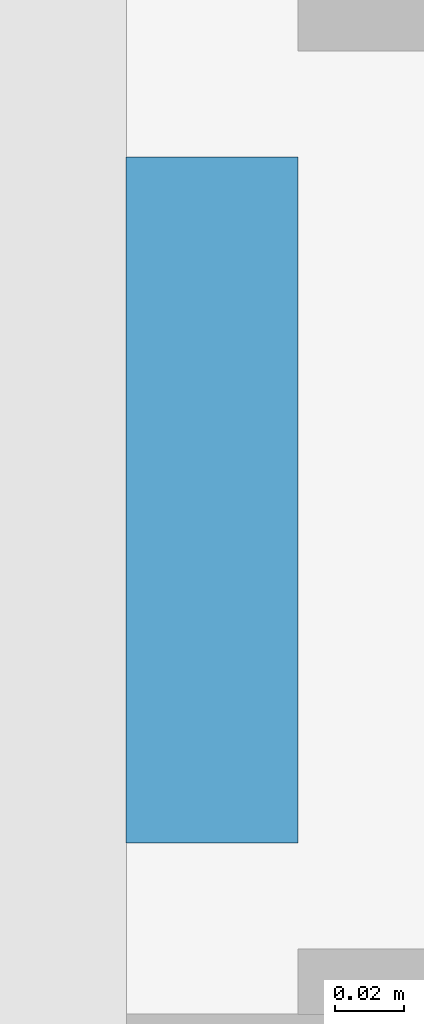
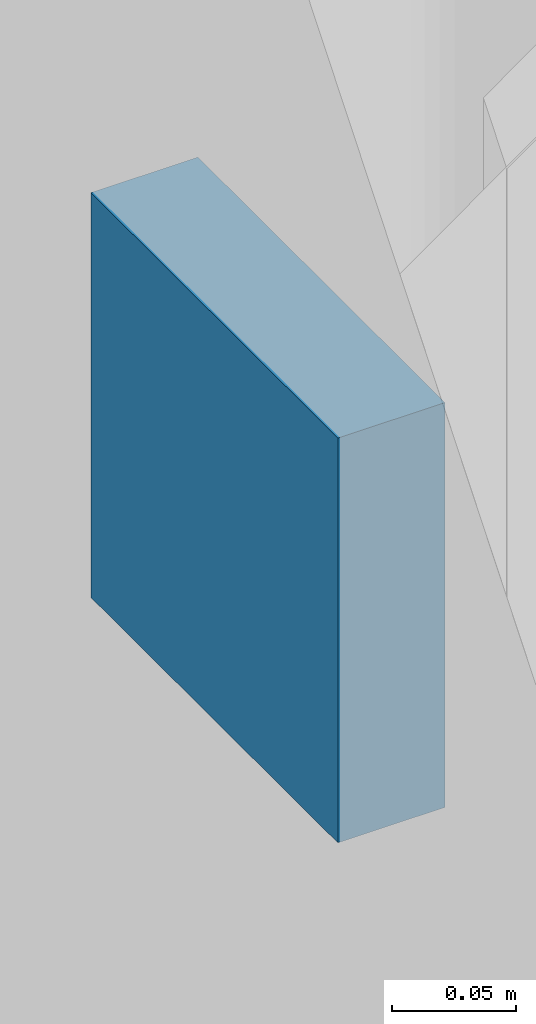
# One storey, part 104 of 134: 1 discrete accessory.
"""IFC4 building model written with IfcOpenShell, lengths in metres."""

from ifc_helpers import new_model, si_unit, direction, frame, origin, origin_2d, place, context, subcontext, project, spatial, rectangle, extrude, material, type_object, element, save


model = new_model("IFC4")

# Units and contexts
model_context = context("Model", 3, precision=1e-05, world=origin(), true_north=direction((0.0, 1.0)))
body_context = subcontext(model_context, "Body", "Model", "MODEL_VIEW")
ifc_project = project(units=[si_unit("LENGTHUNIT", "METRE"), si_unit("AREAUNIT", "SQUARE_METRE"), si_unit("VOLUMEUNIT", "CUBIC_METRE"), si_unit("PLANEANGLEUNIT", "RADIAN"), si_unit("MASSUNIT", "GRAM", prefix="KILO")], contexts=[model_context])

# Site, building, storey
site_placement = place(None, origin())
site = spatial("IfcSite", under=ifc_project, at=site_placement, CompositionType="ELEMENT")
building_placement = place(site_placement, origin())
building = spatial("IfcBuilding", under=site, at=building_placement, Name="Golden Quay Civic Hall", CompositionType="ELEMENT")
storey_placement = place(building_placement, frame((0.0, 0.0, 5.39990234375)))
storey = spatial("IfcBuildingStorey", under=building, at=storey_placement, Name="L01", CompositionType="ELEMENT", Elevation=5.39990234375)

# Discrete accessory
ifc_material = material(Name="Steel S355", Category="steel")
discrete_accessory_type = type_object("IfcDiscreteAccessoryType", Name="Pier fixing bracket 200 x 200", PredefinedType="BRACKET", material=ifc_material)
discrete_accessory_placement = place(storey_placement, frame((-0.175048828125, 63.0, 1.39990234375), z_axis=(0.0, 0.0, 1.0), x_axis=(0.0, -1.0, 0.0)))
element("IfcDiscreteAccessory", 1, at=discrete_accessory_placement, inside=storey, type_object=discrete_accessory_type, Name="Pier fixing bracket 200 x 200 L01 7", PredefinedType="BRACKET", context=body_context, shape_type="SweptSolid", body=[
    extrude(rectangle(XDim=0.199951171875, YDim=0.050048828125, at=origin_2d()), origin(), (0.0, 0.0, 1.0), 0.199951171875),
])

save(model, "model.ifc")
